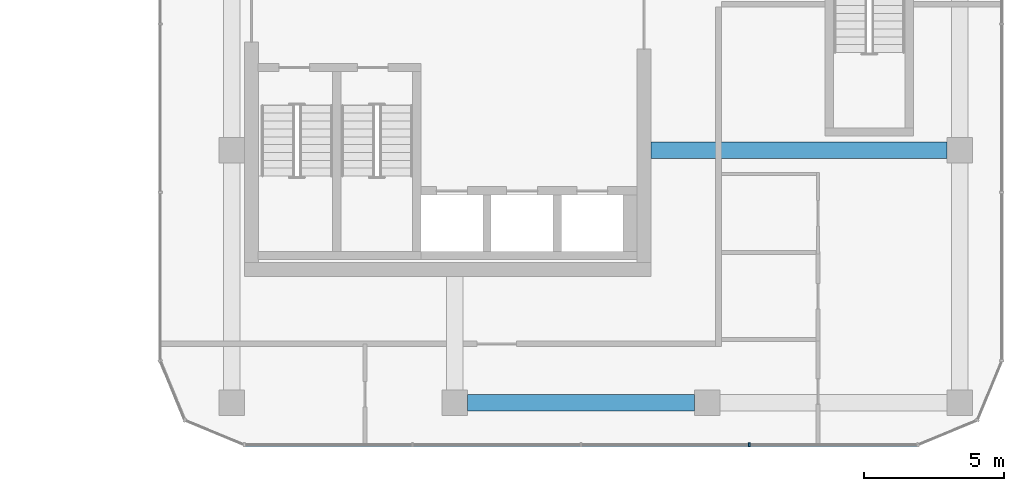
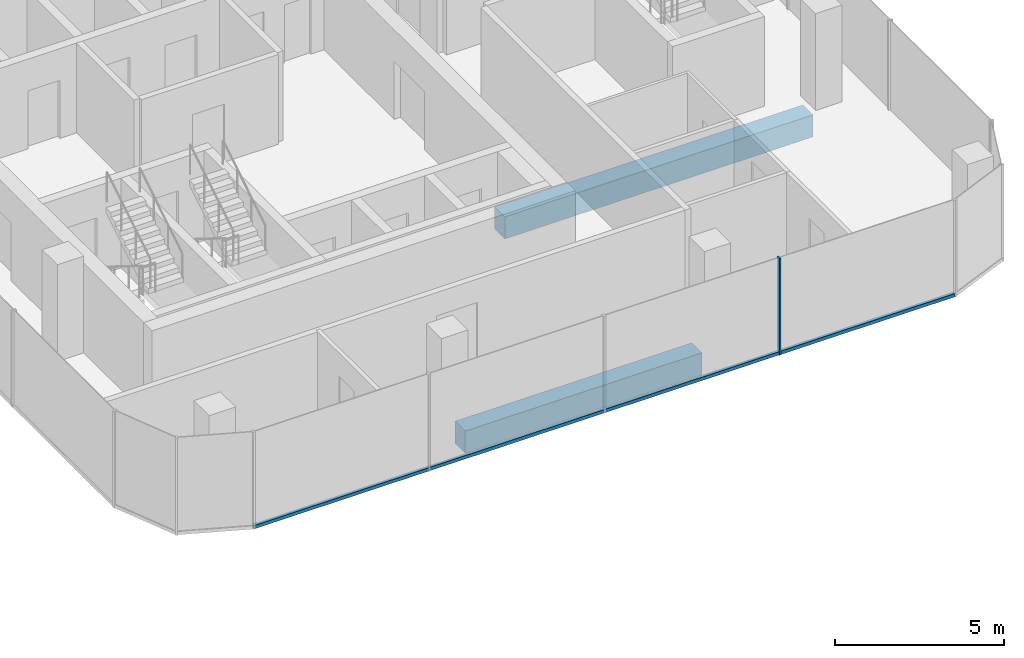
# One storey, part 8 of 22: 2 beams, 2 members, 1 element without a shape of its own.
"""IFC4 building model written with IfcOpenShell, lengths in metres."""

from ifc_helpers import new_model, si_unit, direction, frame, origin, origin_2d, place, context, subcontext, project, spatial, rectangle, extrude, material, layer, layer_set, material_profile, profile_set, type_object, element, aggregate, save


model = new_model("IFC4")

# Units and contexts
model_context = context("Model", 3, precision=1e-05, world=origin(), true_north=direction((0.0, 1.0)))
body_context = subcontext(model_context, "Body", "Model", "MODEL_VIEW")
ifc_project = project(units=[si_unit("LENGTHUNIT", "METRE"), si_unit("AREAUNIT", "SQUARE_METRE"), si_unit("VOLUMEUNIT", "CUBIC_METRE"), si_unit("PLANEANGLEUNIT", "RADIAN"), si_unit("MASSUNIT", "GRAM", prefix="KILO")], contexts=[model_context])

# Site, building, storey
site_placement = place(None, origin())
site = spatial("IfcSite", under=ifc_project, at=site_placement, CompositionType="ELEMENT")
building_placement = place(site_placement, origin())
building = spatial("IfcBuilding", under=site, at=building_placement, Name="Plateau Cross Towers", CompositionType="ELEMENT")
storey_placement = place(building_placement, frame((0.0, 0.0, 54.800048828125)))
storey = spatial("IfcBuildingStorey", under=building, at=storey_placement, Name="L13", CompositionType="ELEMENT", Elevation=54.800048828125)

# Beam
ifc_material_1 = material(Name="Concrete C60/75", Category="concrete")
ifc_material_profile_1 = material_profile(ifc_material_1, rectangle(XDim=0.60009765625, YDim=0.800048828125, at=origin_2d()), Name="RC 600x800")
ifc_profile_set_1 = profile_set([ifc_material_profile_1], Name="Concrete C60/75")
beam_type_1 = type_object("IfcBeamType", Name="Core beam RC 600x800", PredefinedType="BEAM", material=ifc_profile_set_1)
beam_1_placement = place(storey_placement, frame((89.5, 4.5, -0.650146484375), z_axis=(1.0, 0.0, 0.0), x_axis=(0.0, 1.0, 0.0)))
element("IfcBeam", 1, at=beam_1_placement, inside=storey, type_object=beam_type_1, Name="B-CB02@L13", PredefinedType="BEAM", context=body_context, shape_type="SweptSolid", body=[
    extrude(rectangle(XDim=0.60009765625, YDim=0.800048828125, at=origin_2d()), origin(), (0.0, 0.0, 1.0), 10.550048828125),
])

# Curtain wall, member
ifc_material_2 = material(Name="Dark low-iron glass", Category="glass")
ifc_layer = layer(ifc_material_2, 0.239990234375)
ifc_layer_set = layer_set([ifc_layer], Name="Dark low-iron glass")
curtain_wall_type = type_object("IfcCurtainWallType", Name="Curtain wall office unitised CW-F", PredefinedType="NOTDEFINED", material=ifc_layer_set)
curtain_wall_placement = place(storey_placement, origin())
curtain_wall = element("IfcCurtainWall", 2, at=curtain_wall_placement, inside=storey, type_object=curtain_wall_type, Name="ENV/B/L13/B750_-60", PredefinedType="NOTDEFINED")
ifc_material_3 = material(Name="Black anodised aluminium", Category="aluminium")
ifc_material_profile_2 = material_profile(ifc_material_3, rectangle(XDim=0.06005859375, YDim=0.139892578125, at=origin_2d()), Name="MULLION 60x140")
ifc_profile_set_2 = profile_set([ifc_material_profile_2], Name="Black anodised aluminium")
member_type_1 = type_object("IfcMemberType", Name="Mullion 60x140 office unitised", PredefinedType="MULLION", material=ifc_profile_set_2)
member_1_placement = place(storey_placement, frame((93.0, -6.0, -0.25), z_axis=(0.0, 0.0, 1.0), x_axis=(1.0, 0.0, 0.0)))
member_1 = element("IfcMember", 3, at=member_1_placement, type_object=member_type_1, Name="CW-F mullion 4", PredefinedType="MULLION", context=body_context, shape_type="SweptSolid", body=[
    extrude(rectangle(XDim=0.06005859375, YDim=0.139892578125, at=origin_2d()), origin(), (0.0, 0.0, 1.0), 3.5),
])

# Beam
ifc_material_profile_3 = material_profile(ifc_material_1, rectangle(XDim=0.60009765625, YDim=0.800048828125, at=origin_2d()), Name="RC 600x800")
ifc_profile_set_3 = profile_set([ifc_material_profile_3], Name="Concrete C60/75")
beam_type_2 = type_object("IfcBeamType", Name="Ring beam RC 600x800", PredefinedType="BEAM", material=ifc_profile_set_3)
beam_2_placement = place(storey_placement, frame((82.949951171875, -4.5, -0.650146484375), z_axis=(1.0, 0.0, 0.0), x_axis=(0.0, 1.0, 0.0)))
element("IfcBeam", 4, at=beam_2_placement, inside=storey, type_object=beam_type_2, Name="B-RB01@L13", PredefinedType="BEAM", context=body_context, shape_type="SweptSolid", body=[
    extrude(rectangle(XDim=0.60009765625, YDim=0.800048828125, at=origin_2d()), origin(), (0.0, 0.0, 1.0), 8.10009765625),
])

# Member
ifc_material_profile_4 = material_profile(ifc_material_3, rectangle(XDim=0.10009765625, YDim=0.1201171875, at=origin_2d()), Name="TRANSOM 100x120")
ifc_profile_set_4 = profile_set([ifc_material_profile_4], Name="Black anodised aluminium")
member_type_2 = type_object("IfcMemberType", Name="Transom 100x120 office unitised", PredefinedType="USERDEFINED", material=ifc_profile_set_4)
member_2_placement = place(storey_placement, frame((75.0, -6.0, -0.18994140625), z_axis=(1.0, 0.0, 0.0), x_axis=(0.0, 1.0, 0.0)))
member_2 = element("IfcMember", 5, at=member_2_placement, type_object=member_type_2, Name="CW-F transom", ObjectType="TRANSOM", PredefinedType="USERDEFINED", context=body_context, shape_type="SweptSolid", body=[
    extrude(rectangle(XDim=0.10009765625, YDim=0.1201171875, at=origin_2d()), origin(), (0.0, 0.0, 1.0), 24.0),
])

aggregate(curtain_wall, [member_1, member_2])

save(model, "model.ifc")
